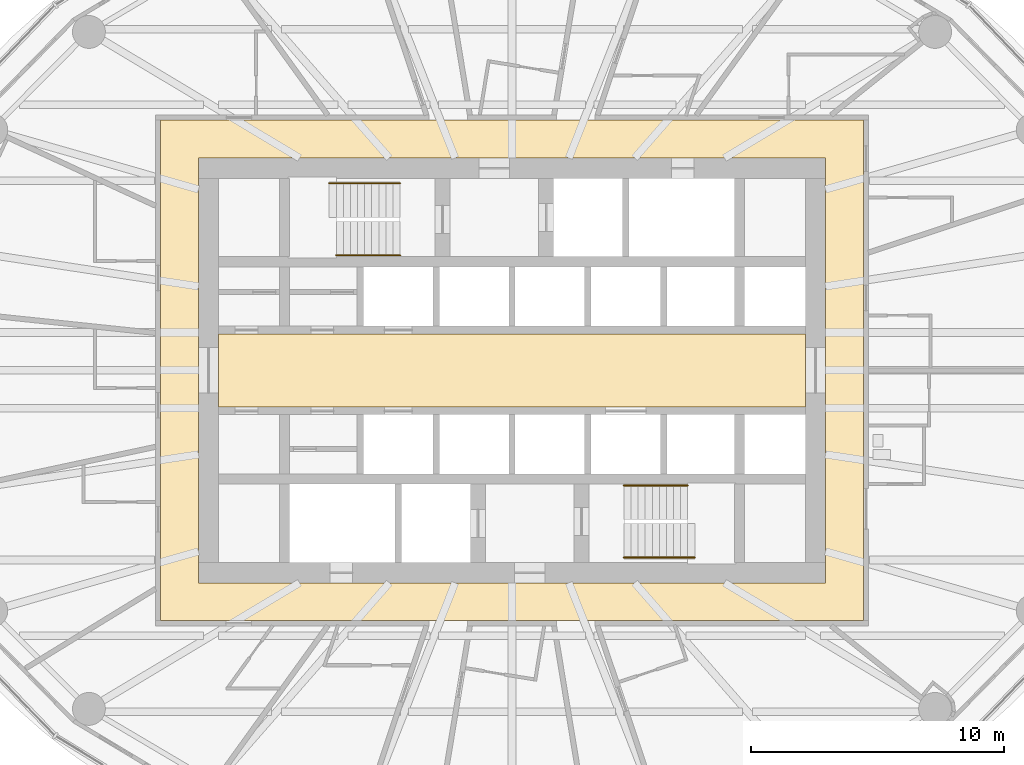
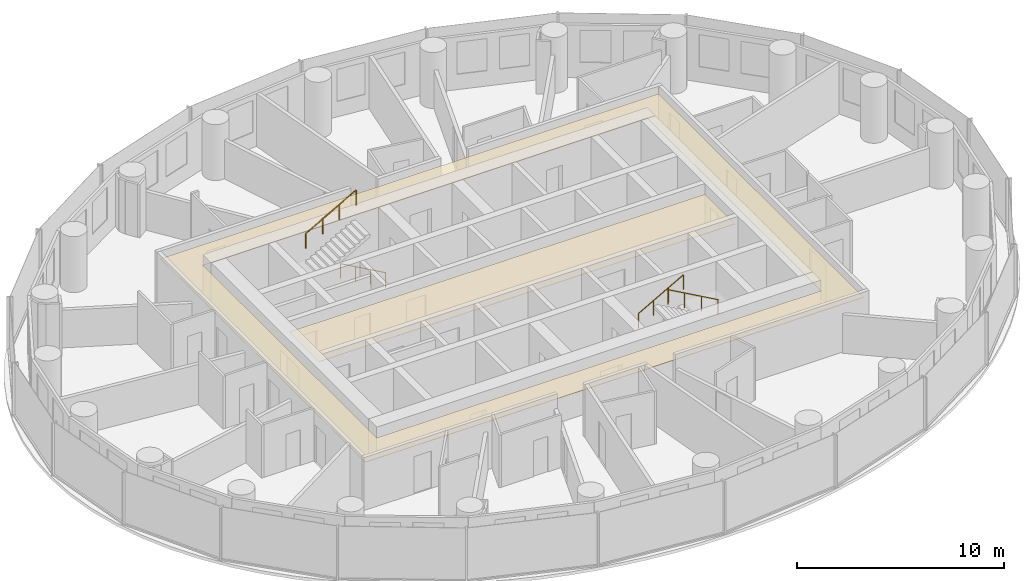
# One storey, part 12 of 13: 4 railings, 2 coverings.
"""IFC4 building model written with IfcOpenShell, lengths in metres."""

from ifc_helpers import new_model, si_unit, direction, frame, origin, origin_2d, place, context, subcontext, project, spatial, polyline, circle, outline, extrude, material, layer, layer_set, type_object, element, save


model = new_model("IFC4")

# Units and contexts
model_context = context("Model", 3, precision=1e-05, world=origin(), true_north=direction((0.0, 1.0)))
body_context = subcontext(model_context, "Body", "Model", "MODEL_VIEW")
ifc_project = project(units=[si_unit("LENGTHUNIT", "METRE"), si_unit("AREAUNIT", "SQUARE_METRE"), si_unit("VOLUMEUNIT", "CUBIC_METRE"), si_unit("PLANEANGLEUNIT", "RADIAN"), si_unit("MASSUNIT", "GRAM", prefix="KILO")], contexts=[model_context])

# Site, building, storey
site_placement = place(None, origin())
site = spatial("IfcSite", under=ifc_project, at=site_placement, CompositionType="ELEMENT")
building_placement = place(site_placement, origin())
building = spatial("IfcBuilding", under=site, at=building_placement, Name="Hankou Lantern Tower", CompositionType="ELEMENT")
storey_placement = place(building_placement, frame((0.0, 0.0, 105.60009765625)))
storey = spatial("IfcBuildingStorey", under=building, at=storey_placement, Name="L26", CompositionType="ELEMENT", Elevation=105.60009765625)

# Coverings
ifc_material_1 = material(Name="Black painted aluminium linear ceiling panels", Category="aluminium")
ifc_layer_1 = layer(ifc_material_1, 0.02490234375)
ifc_layer_set_1 = layer_set([ifc_layer_1], Name="Black painted aluminium linear ceiling panels")
covering_type_1 = type_object("IfcCoveringType", Name="CL1 CORRIDOR CEILING 25", PredefinedType="CEILING", material=ifc_layer_set_1)
covering_1_placement = place(storey_placement, frame((0.0, 0.0, 2.64501953125)))
element("IfcCovering", 1, at=covering_1_placement, inside=storey, type_object=covering_type_1, Name="Corridor ceiling L26", PredefinedType="CEILING", context=body_context, shape_type="SweptSolid", body=[
    extrude(outline(polyline([(-13.89990234375, -9.89990234375), (13.89990234375, -9.89990234375), (13.89990234375, 9.89990234375), (-13.89990234375, 9.89990234375), (-13.89990234375, -9.89990234375)]), holes=[polyline([(-12.39990234375, 8.39990234375), (12.39990234375, 8.39990234375), (12.39990234375, -8.39990234375), (-12.39990234375, -8.39990234375), (-12.39990234375, 8.39990234375)])]), origin(), (0.0, 0.0, 1.0), 0.02490234375),
])
ifc_material_2 = material(Name="Perforated black aluminium acoustic tray ceiling", Category="aluminium")
ifc_layer_2 = layer(ifc_material_2, 0.014892578125)
ifc_layer_set_2 = layer_set([ifc_layer_2], Name="Perforated black aluminium acoustic tray ceiling")
covering_type_2 = type_object("IfcCoveringType", Name="CL2 LIFT LOBBY CEILING 15", PredefinedType="CEILING", material=ifc_layer_set_2)
covering_2_placement = place(storey_placement, frame((0.0, 0.0, 2.65478515625)))
element("IfcCovering", 2, at=covering_2_placement, inside=storey, type_object=covering_type_2, Name="Lift lobby ceiling L26", PredefinedType="CEILING", context=body_context, shape_type="SweptSolid", body=[
    extrude(outline(polyline([(-11.60009765625, -1.449951171875), (11.60009765625, -1.449951171875), (11.60009765625, 1.449951171875), (-11.60009765625, 1.449951171875), (-11.60009765625, -1.449951171875)])), origin(), (0.0, 0.0, 1.0), 0.01513671875),
])

# Railings
ifc_material_3 = material(Name="Steel handrail", Category="steel")
railing_type = type_object("IfcRailingType", Name="HR1 STAIR HANDRAIL", PredefinedType="HANDRAIL", material=ifc_material_3)
railing_1_placement = place(storey_placement, frame((-4.429931640625, 4.550048828125, 0.89990234375)))
element("IfcRailing", 3, at=railing_1_placement, inside=storey, type_object=railing_type, Name="Handrail stair STA L26 flight 1", PredefinedType="HANDRAIL", context=body_context, shape_type="SweptSolid", body=[
    extrude(circle(Radius=0.02392578125, at=origin_2d()), frame((0.0, 0.0, 0.8759765625), z_axis=(-0.872048945198, 0.0, 0.489418672692), x_axis=(0.0, -1.0, 0.0)), (0.0, 0.0, 1.0), 2.8896484375),
    extrude(circle(Radius=0.02099609375, at=origin_2d()), origin(), (0.0, 0.0, 1.0), 0.851806640625),
    extrude(circle(Radius=0.02099609375, at=origin_2d()), frame((-0.840087890625, 0.0, 0.471435546875)), (0.0, 0.0, 1.0), 0.851806640625),
    extrude(circle(Radius=0.02099609375, at=origin_2d()), frame((-1.679931640625, 0.0, 0.94287109375)), (0.0, 0.0, 1.0), 0.851806640625),
    extrude(circle(Radius=0.02099609375, at=origin_2d()), frame((-2.52001953125, 0.0, 1.414306640625)), (0.0, 0.0, 1.0), 0.851806640625),
])
railing_2_placement = place(storey_placement, frame((-7.22998046875, 7.39990234375, 2.471435546875)))
element("IfcRailing", 4, at=railing_2_placement, inside=storey, type_object=railing_type, Name="Handrail stair STA L26 flight 2", PredefinedType="HANDRAIL", context=body_context, shape_type="SweptSolid", body=[
    extrude(circle(Radius=0.02392578125, at=origin_2d()), frame((0.0, 0.0, 0.8759765625), z_axis=(0.872072602893, 0.0, 0.489376516891), x_axis=(0.0, 1.0, 0.0)), (0.0, 0.0, 1.0), 3.210693359375),
    extrude(circle(Radius=0.02099609375, at=origin_2d()), origin(), (0.0, 0.0, 1.0), 0.851806640625),
    extrude(circle(Radius=0.02099609375, at=origin_2d()), frame((0.933349609375, 0.0, 0.523681640625)), (0.0, 0.0, 1.0), 0.851806640625),
    extrude(circle(Radius=0.02099609375, at=origin_2d()), frame((1.86669921875, 0.0, 1.047607421875)), (0.0, 0.0, 1.0), 0.851806640625),
    extrude(circle(Radius=0.02099609375, at=origin_2d()), frame((2.800048828125, 0.0, 1.5712890625)), (0.0, 0.0, 1.0), 0.851806640625),
])
railing_3_placement = place(storey_placement, frame((4.429931640625, -4.550048828125, 0.89990234375)))
element("IfcRailing", 5, at=railing_3_placement, inside=storey, type_object=railing_type, Name="Handrail stair STB L26 flight 1", PredefinedType="HANDRAIL", context=body_context, shape_type="SweptSolid", body=[
    extrude(circle(Radius=0.02392578125, at=origin_2d()), frame((0.0, 0.0, 0.8759765625), z_axis=(0.872048945198, 0.0, 0.489418672692), x_axis=(0.0, 1.0, 0.0)), (0.0, 0.0, 1.0), 2.8896484375),
    extrude(circle(Radius=0.02099609375, at=origin_2d()), origin(), (0.0, 0.0, 1.0), 0.851806640625),
    extrude(circle(Radius=0.02099609375, at=origin_2d()), frame((0.840087890625, 0.0, 0.471435546875)), (0.0, 0.0, 1.0), 0.851806640625),
    extrude(circle(Radius=0.02099609375, at=origin_2d()), frame((1.679931640625, 0.0, 0.94287109375)), (0.0, 0.0, 1.0), 0.851806640625),
    extrude(circle(Radius=0.02099609375, at=origin_2d()), frame((2.52001953125, 0.0, 1.414306640625)), (0.0, 0.0, 1.0), 0.851806640625),
])
railing_4_placement = place(storey_placement, frame((7.22998046875, -7.39990234375, 2.471435546875)))
element("IfcRailing", 6, at=railing_4_placement, inside=storey, type_object=railing_type, Name="Handrail stair STB L26 flight 2", PredefinedType="HANDRAIL", context=body_context, shape_type="SweptSolid", body=[
    extrude(circle(Radius=0.02392578125, at=origin_2d()), frame((0.0, 0.0, 0.8759765625), z_axis=(-0.872072602893, 0.0, 0.489376516891), x_axis=(0.0, -1.0, 0.0)), (0.0, 0.0, 1.0), 3.210693359375),
    extrude(circle(Radius=0.02099609375, at=origin_2d()), origin(), (0.0, 0.0, 1.0), 0.851806640625),
    extrude(circle(Radius=0.02099609375, at=origin_2d()), frame((-0.933349609375, 0.0, 0.523681640625)), (0.0, 0.0, 1.0), 0.851806640625),
    extrude(circle(Radius=0.02099609375, at=origin_2d()), frame((-1.86669921875, 0.0, 1.047607421875)), (0.0, 0.0, 1.0), 0.851806640625),
    extrude(circle(Radius=0.02099609375, at=origin_2d()), frame((-2.800048828125, 0.0, 1.5712890625)), (0.0, 0.0, 1.0), 0.851806640625),
])

save(model, "model.ifc")
